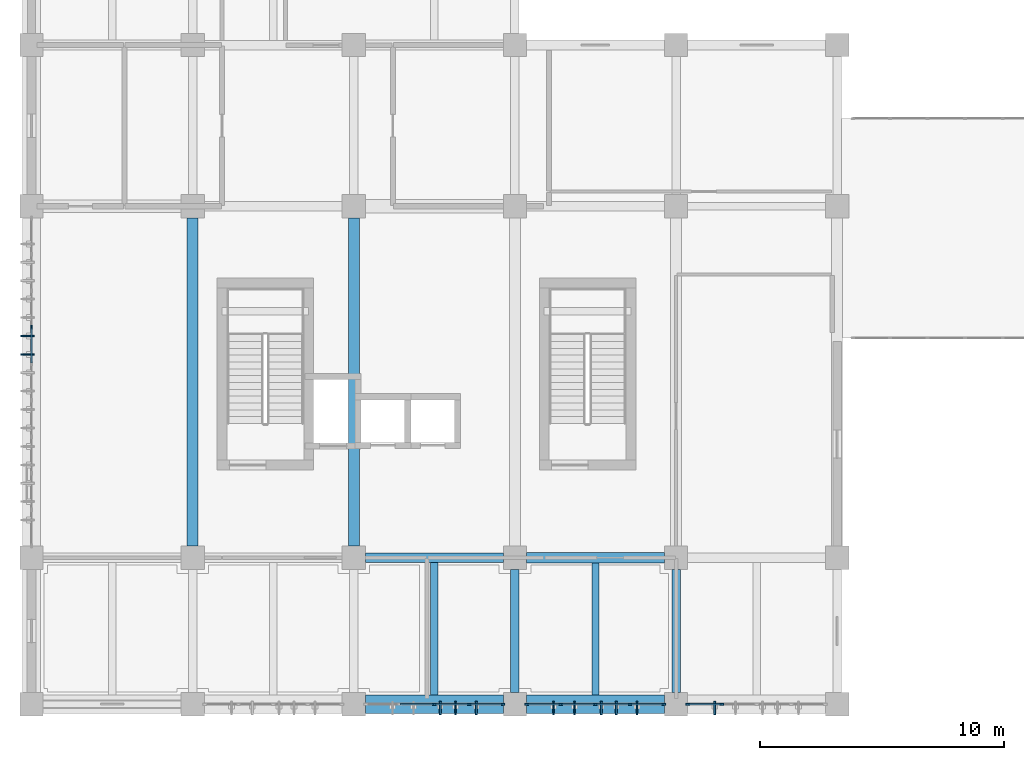
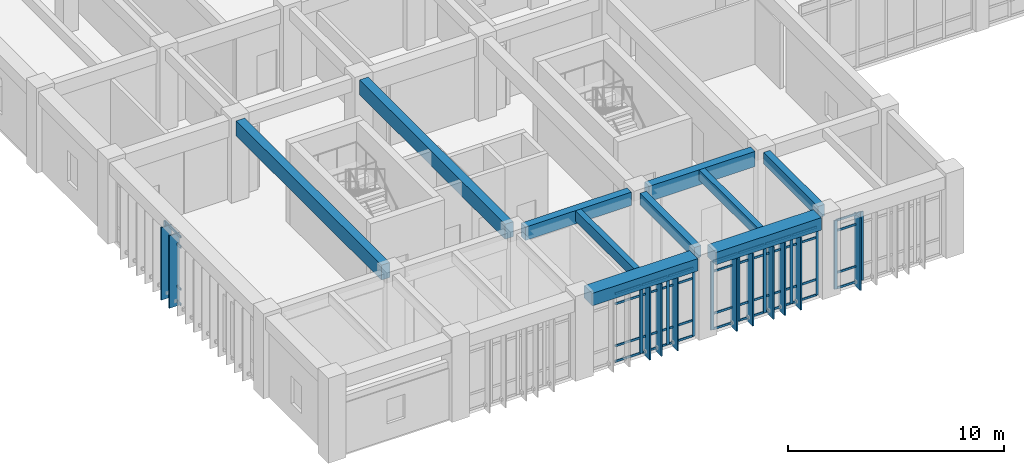
# One storey, part 3 of 65: 58 members, 10 beams, 4 elements without a shape of their own.
"""IFC4 building model written with IfcOpenShell, lengths in metres."""

from ifc_helpers import new_model, si_unit, direction, frame, origin, origin_2d, place, context, subcontext, project, spatial, rectangle, extrude, material, layer, layer_set, material_profile, profile_set, type_object, element, aggregate, save


model = new_model("IFC4")

# Units and contexts
model_context = context("Model", 3, precision=1e-05, world=origin(), true_north=direction((0.0, 1.0)))
body_context = subcontext(model_context, "Body", "Model", "MODEL_VIEW")
ifc_project = project(units=[si_unit("LENGTHUNIT", "METRE"), si_unit("AREAUNIT", "SQUARE_METRE"), si_unit("VOLUMEUNIT", "CUBIC_METRE"), si_unit("PLANEANGLEUNIT", "RADIAN"), si_unit("MASSUNIT", "GRAM", prefix="KILO")], contexts=[model_context])

# Site, building, storey
site_placement = place(None, origin())
site = spatial("IfcSite", under=ifc_project, at=site_placement, CompositionType="ELEMENT")
building_placement = place(site_placement, origin())
building = spatial("IfcBuilding", under=site, at=building_placement, Name="Miralva Faculty of Natural Sciences", CompositionType="ELEMENT")
storey_placement = place(building_placement, frame((0.0, 0.0, 10.199951171875)))
storey = spatial("IfcBuildingStorey", under=building, at=storey_placement, Name="L02", CompositionType="ELEMENT", Elevation=10.199951171875)

# Beams
ifc_material_1 = material(Name="Concrete C40/50", Category="concrete")
ifc_material_profile_1 = material_profile(ifc_material_1, rectangle(XDim=0.449951171875, YDim=0.85009765625, at=origin_2d()), Name="RC 450x850")
ifc_profile_set_1 = profile_set([ifc_material_profile_1], Name="Concrete C40/50")
beam_type_1 = type_object("IfcBeamType", Name="BM-B01", PredefinedType="BEAM", material=ifc_profile_set_1)
for number, where, z_axis, x_axis, name in (
    (1, (9.60009765625, 9.47509765625, 4.155029296875), (0.0, 1.0, 0.0), (-1.0, 0.0, 0.0), "Girder NS L02-84"),
    (2, (16.199951171875, 9.47509765625, 4.155029296875), (0.0, 1.0, 0.0), (-1.0, 0.0, 0.0), "Girder NS L02-97"),
):
    element("IfcBeam", number, at=place(storey_placement, frame(where, z_axis=z_axis, x_axis=x_axis)), inside=storey, type_object=beam_type_1, Name=name, PredefinedType="BEAM", context=body_context, shape_type="SweptSolid", body=[
        extrude(rectangle(XDim=0.449951171875, YDim=0.85009765625, at=origin_2d()), origin(), (0.0, 0.0, 1.0), 13.449951171875),
    ])
ifc_material_profile_2 = material_profile(ifc_material_1, rectangle(XDim=0.39990234375, YDim=0.75, at=origin_2d()), Name="RC 400x750")
ifc_profile_set_2 = profile_set([ifc_material_profile_2], Name="Concrete C40/50")
beam_type_2 = type_object("IfcBeamType", Name="BM-B03", PredefinedType="BEAM", material=ifc_profile_set_2)
beam_1_placement = place(storey_placement, frame((16.675048828125, 9.0, 4.205078125), z_axis=(1.0, 0.0, 0.0), x_axis=(0.0, 1.0, 0.0)))
element("IfcBeam", 3, at=beam_1_placement, inside=storey, type_object=beam_type_2, Name="Girder EW L02-8", PredefinedType="BEAM", context=body_context, shape_type="SweptSolid", body=[
    extrude(rectangle(XDim=0.39990234375, YDim=0.75, at=origin_2d()), origin(), (0.0, 0.0, 1.0), 5.64990234375),
])
ifc_material_profile_3 = material_profile(ifc_material_1, rectangle(XDim=0.35009765625, YDim=0.64990234375, at=origin_2d()), Name="RC 350x650")
ifc_profile_set_3 = profile_set([ifc_material_profile_3], Name="Concrete C40/50")
beam_type_3 = type_object("IfcBeamType", Name="BM-B05", PredefinedType="BEAM", material=ifc_profile_set_3)
for number, where, z_axis, x_axis, name in (
    (4, (22.800048828125, 3.47509765625, 4.255126953125), (0.0, 1.0, 0.0), (-1.0, 0.0, 0.0), "Girder NS L02-99"),
    (5, (29.39990234375, 3.47509765625, 4.255126953125), (0.0, 1.0, 0.0), (-1.0, 0.0, 0.0), "Girder NS L02-112"),
):
    element("IfcBeam", number, at=place(storey_placement, frame(where, z_axis=z_axis, x_axis=x_axis)), inside=storey, type_object=beam_type_3, Name=name, PredefinedType="BEAM", context=body_context, shape_type="SweptSolid", body=[
        extrude(rectangle(XDim=0.35009765625, YDim=0.64990234375, at=origin_2d()), origin(), (0.0, 0.0, 1.0), 5.0498046875),
    ])
ifc_material_profile_4 = material_profile(ifc_material_1, rectangle(XDim=0.419921875, YDim=0.860107421875, at=origin_2d()), Name="RC 420x860")
ifc_profile_set_4 = profile_set([ifc_material_profile_4], Name="Concrete C40/50")
beam_type_4 = type_object("IfcBeamType", Name="BM-BG12", PredefinedType="BEAM", material=ifc_profile_set_4)
beam_2_placement = place(storey_placement, frame((23.27490234375, 9.0, 4.150146484375), z_axis=(1.0, 0.0, 0.0), x_axis=(0.0, 1.0, 0.0)))
element("IfcBeam", 6, at=beam_2_placement, inside=storey, type_object=beam_type_4, Name="Girder EW L02-9", PredefinedType="BEAM", context=body_context, shape_type="SweptSolid", body=[
    extrude(rectangle(XDim=0.419921875, YDim=0.860107421875, at=origin_2d()), origin(), (0.0, 0.0, 1.0), 5.650146484375),
])
ifc_material_profile_5 = material_profile(ifc_material_1, rectangle(XDim=0.300048828125, YDim=0.60009765625, at=origin_2d()), Name="RC 300x600")
ifc_profile_set_5 = profile_set([ifc_material_profile_5], Name="Concrete C40/50")
beam_type_5 = type_object("IfcBeamType", Name="BM-J01", PredefinedType="JOIST", material=ifc_profile_set_5)
beam_3_placement = place(storey_placement, frame((19.5, 3.375, 4.280029296875), z_axis=(0.0, 1.0, 0.0), x_axis=(-1.0, 0.0, 0.0)))
element("IfcBeam", 7, at=beam_3_placement, inside=storey, type_object=beam_type_5, Name="Floor joist L02-3", PredefinedType="JOIST", context=body_context, shape_type="SweptSolid", body=[
    extrude(rectangle(XDim=0.300048828125, YDim=0.60009765625, at=origin_2d()), origin(), (0.0, 0.0, 1.0), 5.425048828125),
])
beam_4_placement = place(storey_placement, frame((26.10009765625, 3.375, 4.280029296875), z_axis=(0.0, 1.0, 0.0), x_axis=(-1.0, 0.0, 0.0)))
element("IfcBeam", 8, at=beam_4_placement, inside=storey, type_object=beam_type_5, Name="Floor joist L02-4", PredefinedType="JOIST", context=body_context, shape_type="SweptSolid", body=[
    extrude(rectangle(XDim=0.300048828125, YDim=0.60009765625, at=origin_2d()), origin(), (0.0, 0.0, 1.0), 5.4150390625),
])
ifc_material_profile_6 = material_profile(ifc_material_1, rectangle(XDim=0.75, YDim=0.699951171875, at=origin_2d()), Name="RC 750x700")
ifc_profile_set_6 = profile_set([ifc_material_profile_6], Name="Concrete C40/50")
beam_type_6 = type_object("IfcBeamType", Name="BM-SP01", PredefinedType="SPANDREL", material=ifc_profile_set_6)
beam_5_placement = place(storey_placement, frame((16.675048828125, 3.0, 4.22998046875), z_axis=(1.0, 0.0, 0.0), x_axis=(0.0, 1.0, 0.0)))
element("IfcBeam", 9, at=beam_5_placement, inside=storey, type_object=beam_type_6, Name="Girder EW L02-3", PredefinedType="SPANDREL", context=body_context, shape_type="SweptSolid", body=[
    extrude(rectangle(XDim=0.75, YDim=0.699951171875, at=origin_2d()), origin(), (0.0, 0.0, 1.0), 5.64990234375),
])
beam_6_placement = place(storey_placement, frame((23.27490234375, 3.0, 4.22998046875), z_axis=(1.0, 0.0, 0.0), x_axis=(0.0, 1.0, 0.0)))
element("IfcBeam", 10, at=beam_6_placement, inside=storey, type_object=beam_type_6, Name="Girder EW L02-4", PredefinedType="SPANDREL", context=body_context, shape_type="SweptSolid", body=[
    extrude(rectangle(XDim=0.75, YDim=0.699951171875, at=origin_2d()), origin(), (0.0, 0.0, 1.0), 5.650146484375),
])

# Curtain wall, members
ifc_material_2 = material(Name="Laminated solar-control glass", Category="glass")
ifc_layer = layer(ifc_material_2, 0.179931640625, Name="CW-TWR-L01")
ifc_layer_set = layer_set([ifc_layer], Name="Laminated solar-control glass")
curtain_wall_type = type_object("IfcCurtainWallType", Name="CW-TWR-L01", PredefinedType="USERDEFINED", material=ifc_layer_set)
curtain_wall_1_placement = place(storey_placement, origin())
curtain_wall_1 = element("IfcCurtainWall", 11, at=curtain_wall_1_placement, inside=storey, type_object=curtain_wall_type, Name="Curtain wall CW-13 L02-220", ObjectType="UNITISED CURTAIN WALL", PredefinedType="USERDEFINED")
ifc_material_3 = material(Name="Anodised aluminium", Category="aluminium")
ifc_material_profile_7 = material_profile(ifc_material_3, rectangle(XDim=0.06494140625, YDim=0.159912109375, at=origin_2d()), Name="MULLION 65x160")
ifc_profile_set_7 = profile_set([ifc_material_profile_7], Name="Anodised aluminium")
member_type_1 = type_object("IfcMemberType", Name="CW-M02", PredefinedType="MULLION", material=ifc_profile_set_7)
member_1_placement = place(storey_placement, frame((19.5, 3.0, 0.0), z_axis=(0.0, 0.0, 1.0), x_axis=(0.0, 1.0, 0.0)))
member_1 = element("IfcMember", 12, at=member_1_placement, type_object=member_type_1, Name="CW-13 mullion 3", PredefinedType="MULLION", context=body_context, shape_type="SweptSolid", body=[
    extrude(rectangle(XDim=0.06494140625, YDim=0.159912109375, at=origin_2d()), origin(), (0.0, 0.0, 1.0), 3.875),
])
member_2_placement = place(storey_placement, frame((20.922607421875, 3.0, 0.0), z_axis=(0.0, 0.0, 1.0), x_axis=(0.0, 1.0, 0.0)))
member_2 = element("IfcMember", 13, at=member_2_placement, type_object=member_type_1, Name="CW-13 mullion 4", PredefinedType="MULLION", context=body_context, shape_type="SweptSolid", body=[
    extrude(rectangle(XDim=0.06494140625, YDim=0.159912109375, at=origin_2d()), origin(), (0.0, 0.0, 1.0), 3.875),
])
member_3_placement = place(storey_placement, frame((22.3125, 3.0, 0.0), z_axis=(0.0, 0.0, 1.0), x_axis=(0.0, 1.0, 0.0)))
member_3 = element("IfcMember", 14, at=member_3_placement, type_object=member_type_1, Name="CW-13 mullion 5", PredefinedType="MULLION", context=body_context, shape_type="SweptSolid", body=[
    extrude(rectangle(XDim=0.06494140625, YDim=0.159912109375, at=origin_2d()), origin(), (0.0, 0.0, 1.0), 3.875),
])

curtain_wall_2_placement = place(storey_placement, origin())
curtain_wall_2 = element("IfcCurtainWall", 15, at=curtain_wall_2_placement, inside=storey, type_object=curtain_wall_type, Name="Curtain wall CW-13 L02-221", ObjectType="UNITISED CURTAIN WALL", PredefinedType="USERDEFINED")
member_4_placement = place(storey_placement, frame((23.28759765625, 3.0, 0.0), z_axis=(0.0, 0.0, 1.0), x_axis=(0.0, 1.0, 0.0)))
member_4 = element("IfcMember", 16, at=member_4_placement, type_object=member_type_1, Name="CW-13 mullion 1", PredefinedType="MULLION", context=body_context, shape_type="SweptSolid", body=[
    extrude(rectangle(XDim=0.06494140625, YDim=0.159912109375, at=origin_2d()), origin(), (0.0, 0.0, 1.0), 3.875),
])
member_5_placement = place(storey_placement, frame((24.675048828125, 3.0, 0.0), z_axis=(0.0, 0.0, 1.0), x_axis=(0.0, 1.0, 0.0)))
member_5 = element("IfcMember", 17, at=member_5_placement, type_object=member_type_1, Name="CW-13 mullion 2", PredefinedType="MULLION", context=body_context, shape_type="SweptSolid", body=[
    extrude(rectangle(XDim=0.06494140625, YDim=0.159912109375, at=origin_2d()), origin(), (0.0, 0.0, 1.0), 3.875),
])
member_6_placement = place(storey_placement, frame((26.094970703125, 3.0, 0.0), z_axis=(0.0, 0.0, 1.0), x_axis=(0.0, 1.0, 0.0)))
member_6 = element("IfcMember", 18, at=member_6_placement, type_object=member_type_1, Name="CW-13 mullion 3", PredefinedType="MULLION", context=body_context, shape_type="SweptSolid", body=[
    extrude(rectangle(XDim=0.06494140625, YDim=0.159912109375, at=origin_2d()), origin(), (0.0, 0.0, 1.0), 3.875),
])
member_7_placement = place(storey_placement, frame((27.514892578125, 3.0, 0.0), z_axis=(0.0, 0.0, 1.0), x_axis=(0.0, 1.0, 0.0)))
member_7 = element("IfcMember", 19, at=member_7_placement, type_object=member_type_1, Name="CW-13 mullion 4", PredefinedType="MULLION", context=body_context, shape_type="SweptSolid", body=[
    extrude(rectangle(XDim=0.06494140625, YDim=0.159912109375, at=origin_2d()), origin(), (0.0, 0.0, 1.0), 3.875),
])
member_8_placement = place(storey_placement, frame((28.902587890625, 3.0, 0.0), z_axis=(0.0, 0.0, 1.0), x_axis=(0.0, 1.0, 0.0)))
member_8 = element("IfcMember", 20, at=member_8_placement, type_object=member_type_1, Name="CW-13 mullion 5", PredefinedType="MULLION", context=body_context, shape_type="SweptSolid", body=[
    extrude(rectangle(XDim=0.06494140625, YDim=0.159912109375, at=origin_2d()), origin(), (0.0, 0.0, 1.0), 3.875),
])

curtain_wall_3_placement = place(storey_placement, origin())
curtain_wall_3 = element("IfcCurtainWall", 21, at=curtain_wall_3_placement, inside=storey, type_object=curtain_wall_type, Name="Curtain wall CW-13 L02-222", ObjectType="UNITISED CURTAIN WALL", PredefinedType="USERDEFINED")
member_9_placement = place(storey_placement, frame((29.887451171875, 3.0, 0.0), z_axis=(0.0, 0.0, 1.0), x_axis=(0.0, 1.0, 0.0)))
member_9 = element("IfcMember", 22, at=member_9_placement, type_object=member_type_1, Name="CW-13 mullion 1", PredefinedType="MULLION", context=body_context, shape_type="SweptSolid", body=[
    extrude(rectangle(XDim=0.06494140625, YDim=0.159912109375, at=origin_2d()), origin(), (0.0, 0.0, 1.0), 3.875),
])
member_10_placement = place(storey_placement, frame((31.277587890625, 3.0, 0.0), z_axis=(0.0, 0.0, 1.0), x_axis=(0.0, 1.0, 0.0)))
member_10 = element("IfcMember", 23, at=member_10_placement, type_object=member_type_1, Name="CW-13 mullion 2", PredefinedType="MULLION", context=body_context, shape_type="SweptSolid", body=[
    extrude(rectangle(XDim=0.06494140625, YDim=0.159912109375, at=origin_2d()), origin(), (0.0, 0.0, 1.0), 3.875),
])

# Curtain wall, member
curtain_wall_4_placement = place(storey_placement, origin())
curtain_wall_4 = element("IfcCurtainWall", 24, at=curtain_wall_4_placement, inside=storey, type_object=curtain_wall_type, Name="Curtain wall CW-13 L02-223", ObjectType="UNITISED CURTAIN WALL", PredefinedType="USERDEFINED")
member_11_placement = place(storey_placement, frame((3.0, 18.445068359375, 0.0), z_axis=(0.0, 0.0, 1.0), x_axis=(-1.0, 0.0, 0.0)))
member_11 = element("IfcMember", 25, at=member_11_placement, type_object=member_type_1, Name="CW-13 mullion 7", PredefinedType="MULLION", context=body_context, shape_type="SweptSolid", body=[
    extrude(rectangle(XDim=0.06494140625, YDim=0.159912109375, at=origin_2d()), origin(), (0.0, 0.0, 1.0), 3.875),
])

# Member
ifc_material_profile_8 = material_profile(ifc_material_3, rectangle(XDim=0.06005859375, YDim=0.1201171875, at=origin_2d()), Name="TRANSOM 60x120")
ifc_profile_set_8 = profile_set([ifc_material_profile_8], Name="Anodised aluminium")
member_type_2 = type_object("IfcMemberType", Name="CW-T02", PredefinedType="USERDEFINED", material=ifc_profile_set_8)
member_12_placement = place(storey_placement, frame((18.110107421875, 3.0, 0.030029296875), z_axis=(1.0, 0.0, 0.0), x_axis=(0.0, 1.0, 0.0)))
member_12 = element("IfcMember", 26, at=member_12_placement, type_object=member_type_2, Name="CW-13 transom 2.1", ObjectType="TRANSOM", PredefinedType="USERDEFINED", context=body_context, shape_type="SweptSolid", body=[
    extrude(rectangle(XDim=0.06005859375, YDim=0.1201171875, at=origin_2d()), origin(), (0.0, 0.0, 1.0), 1.357421875),
])

member_13_placement = place(storey_placement, frame((18.110107421875, 3.0, 0.900146484375), z_axis=(1.0, 0.0, 0.0), x_axis=(0.0, 1.0, 0.0)))
member_13 = element("IfcMember", 27, at=member_13_placement, type_object=member_type_2, Name="CW-13 transom 2.2", ObjectType="TRANSOM", PredefinedType="USERDEFINED", context=body_context, shape_type="SweptSolid", body=[
    extrude(rectangle(XDim=0.06005859375, YDim=0.1201171875, at=origin_2d()), origin(), (0.0, 0.0, 1.0), 1.357421875),
])

member_14_placement = place(storey_placement, frame((18.110107421875, 3.0, 3.275146484375), z_axis=(1.0, 0.0, 0.0), x_axis=(0.0, 1.0, 0.0)))
member_14 = element("IfcMember", 28, at=member_14_placement, type_object=member_type_2, Name="CW-13 transom 2.3", ObjectType="TRANSOM", PredefinedType="USERDEFINED", context=body_context, shape_type="SweptSolid", body=[
    extrude(rectangle(XDim=0.06005859375, YDim=0.1201171875, at=origin_2d()), origin(), (0.0, 0.0, 1.0), 1.357421875),
])

member_15_placement = place(storey_placement, frame((18.110107421875, 3.0, 3.844970703125), z_axis=(1.0, 0.0, 0.0), x_axis=(0.0, 1.0, 0.0)))
member_15 = element("IfcMember", 29, at=member_15_placement, type_object=member_type_2, Name="CW-13 transom 2.4", ObjectType="TRANSOM", PredefinedType="USERDEFINED", context=body_context, shape_type="SweptSolid", body=[
    extrude(rectangle(XDim=0.06005859375, YDim=0.1201171875, at=origin_2d()), origin(), (0.0, 0.0, 1.0), 1.357421875),
])

member_16_placement = place(storey_placement, frame((19.532470703125, 3.0, 0.030029296875), z_axis=(1.0, 0.0, 0.0), x_axis=(0.0, 1.0, 0.0)))
member_16 = element("IfcMember", 30, at=member_16_placement, type_object=member_type_2, Name="CW-13 transom 3.1", ObjectType="TRANSOM", PredefinedType="USERDEFINED", context=body_context, shape_type="SweptSolid", body=[
    extrude(rectangle(XDim=0.06005859375, YDim=0.1201171875, at=origin_2d()), origin(), (0.0, 0.0, 1.0), 1.357421875),
])

member_17_placement = place(storey_placement, frame((19.532470703125, 3.0, 0.900146484375), z_axis=(1.0, 0.0, 0.0), x_axis=(0.0, 1.0, 0.0)))
member_17 = element("IfcMember", 31, at=member_17_placement, type_object=member_type_2, Name="CW-13 transom 3.2", ObjectType="TRANSOM", PredefinedType="USERDEFINED", context=body_context, shape_type="SweptSolid", body=[
    extrude(rectangle(XDim=0.06005859375, YDim=0.1201171875, at=origin_2d()), origin(), (0.0, 0.0, 1.0), 1.357421875),
])

member_18_placement = place(storey_placement, frame((19.532470703125, 3.0, 3.275146484375), z_axis=(1.0, 0.0, 0.0), x_axis=(0.0, 1.0, 0.0)))
member_18 = element("IfcMember", 32, at=member_18_placement, type_object=member_type_2, Name="CW-13 transom 3.3", ObjectType="TRANSOM", PredefinedType="USERDEFINED", context=body_context, shape_type="SweptSolid", body=[
    extrude(rectangle(XDim=0.06005859375, YDim=0.1201171875, at=origin_2d()), origin(), (0.0, 0.0, 1.0), 1.357421875),
])

member_19_placement = place(storey_placement, frame((19.532470703125, 3.0, 3.844970703125), z_axis=(1.0, 0.0, 0.0), x_axis=(0.0, 1.0, 0.0)))
member_19 = element("IfcMember", 33, at=member_19_placement, type_object=member_type_2, Name="CW-13 transom 3.4", ObjectType="TRANSOM", PredefinedType="USERDEFINED", context=body_context, shape_type="SweptSolid", body=[
    extrude(rectangle(XDim=0.06005859375, YDim=0.1201171875, at=origin_2d()), origin(), (0.0, 0.0, 1.0), 1.357421875),
])

member_20_placement = place(storey_placement, frame((20.955078125, 3.0, 0.030029296875), z_axis=(1.0, 0.0, 0.0), x_axis=(0.0, 1.0, 0.0)))
member_20 = element("IfcMember", 34, at=member_20_placement, type_object=member_type_2, Name="CW-13 transom 4.1", ObjectType="TRANSOM", PredefinedType="USERDEFINED", context=body_context, shape_type="SweptSolid", body=[
    extrude(rectangle(XDim=0.06005859375, YDim=0.1201171875, at=origin_2d()), origin(), (0.0, 0.0, 1.0), 1.324951171875),
])

member_21_placement = place(storey_placement, frame((20.955078125, 3.0, 0.900146484375), z_axis=(1.0, 0.0, 0.0), x_axis=(0.0, 1.0, 0.0)))
member_21 = element("IfcMember", 35, at=member_21_placement, type_object=member_type_2, Name="CW-13 transom 4.2", ObjectType="TRANSOM", PredefinedType="USERDEFINED", context=body_context, shape_type="SweptSolid", body=[
    extrude(rectangle(XDim=0.06005859375, YDim=0.1201171875, at=origin_2d()), origin(), (0.0, 0.0, 1.0), 1.324951171875),
])

member_22_placement = place(storey_placement, frame((20.955078125, 3.0, 3.275146484375), z_axis=(1.0, 0.0, 0.0), x_axis=(0.0, 1.0, 0.0)))
member_22 = element("IfcMember", 36, at=member_22_placement, type_object=member_type_2, Name="CW-13 transom 4.3", ObjectType="TRANSOM", PredefinedType="USERDEFINED", context=body_context, shape_type="SweptSolid", body=[
    extrude(rectangle(XDim=0.06005859375, YDim=0.1201171875, at=origin_2d()), origin(), (0.0, 0.0, 1.0), 1.324951171875),
])

member_23_placement = place(storey_placement, frame((20.955078125, 3.0, 3.844970703125), z_axis=(1.0, 0.0, 0.0), x_axis=(0.0, 1.0, 0.0)))
member_23 = element("IfcMember", 37, at=member_23_placement, type_object=member_type_2, Name="CW-13 transom 4.4", ObjectType="TRANSOM", PredefinedType="USERDEFINED", context=body_context, shape_type="SweptSolid", body=[
    extrude(rectangle(XDim=0.06005859375, YDim=0.1201171875, at=origin_2d()), origin(), (0.0, 0.0, 1.0), 1.324951171875),
])

aggregate(curtain_wall_1, [member_1, member_2, member_3, member_12, member_13, member_14, member_15, member_16, member_17, member_18, member_19, member_20, member_21, member_22, member_23])

member_24_placement = place(storey_placement, frame((23.320068359375, 3.0, 0.030029296875), z_axis=(1.0, 0.0, 0.0), x_axis=(0.0, 1.0, 0.0)))
member_24 = element("IfcMember", 38, at=member_24_placement, type_object=member_type_2, Name="CW-13 transom 1.1", ObjectType="TRANSOM", PredefinedType="USERDEFINED", context=body_context, shape_type="SweptSolid", body=[
    extrude(rectangle(XDim=0.06005859375, YDim=0.1201171875, at=origin_2d()), origin(), (0.0, 0.0, 1.0), 1.322509765625),
])

member_25_placement = place(storey_placement, frame((23.320068359375, 3.0, 0.900146484375), z_axis=(1.0, 0.0, 0.0), x_axis=(0.0, 1.0, 0.0)))
member_25 = element("IfcMember", 39, at=member_25_placement, type_object=member_type_2, Name="CW-13 transom 1.2", ObjectType="TRANSOM", PredefinedType="USERDEFINED", context=body_context, shape_type="SweptSolid", body=[
    extrude(rectangle(XDim=0.06005859375, YDim=0.1201171875, at=origin_2d()), origin(), (0.0, 0.0, 1.0), 1.322509765625),
])

member_26_placement = place(storey_placement, frame((23.320068359375, 3.0, 3.275146484375), z_axis=(1.0, 0.0, 0.0), x_axis=(0.0, 1.0, 0.0)))
member_26 = element("IfcMember", 40, at=member_26_placement, type_object=member_type_2, Name="CW-13 transom 1.3", ObjectType="TRANSOM", PredefinedType="USERDEFINED", context=body_context, shape_type="SweptSolid", body=[
    extrude(rectangle(XDim=0.06005859375, YDim=0.1201171875, at=origin_2d()), origin(), (0.0, 0.0, 1.0), 1.322509765625),
])

member_27_placement = place(storey_placement, frame((23.320068359375, 3.0, 3.844970703125), z_axis=(1.0, 0.0, 0.0), x_axis=(0.0, 1.0, 0.0)))
member_27 = element("IfcMember", 41, at=member_27_placement, type_object=member_type_2, Name="CW-13 transom 1.4", ObjectType="TRANSOM", PredefinedType="USERDEFINED", context=body_context, shape_type="SweptSolid", body=[
    extrude(rectangle(XDim=0.06005859375, YDim=0.1201171875, at=origin_2d()), origin(), (0.0, 0.0, 1.0), 1.322509765625),
])

member_28_placement = place(storey_placement, frame((24.70751953125, 3.0, 0.030029296875), z_axis=(1.0, 0.0, 0.0), x_axis=(0.0, 1.0, 0.0)))
member_28 = element("IfcMember", 42, at=member_28_placement, type_object=member_type_2, Name="CW-13 transom 2.1", ObjectType="TRANSOM", PredefinedType="USERDEFINED", context=body_context, shape_type="SweptSolid", body=[
    extrude(rectangle(XDim=0.06005859375, YDim=0.1201171875, at=origin_2d()), origin(), (0.0, 0.0, 1.0), 1.35498046875),
])

member_29_placement = place(storey_placement, frame((24.70751953125, 3.0, 0.900146484375), z_axis=(1.0, 0.0, 0.0), x_axis=(0.0, 1.0, 0.0)))
member_29 = element("IfcMember", 43, at=member_29_placement, type_object=member_type_2, Name="CW-13 transom 2.2", ObjectType="TRANSOM", PredefinedType="USERDEFINED", context=body_context, shape_type="SweptSolid", body=[
    extrude(rectangle(XDim=0.06005859375, YDim=0.1201171875, at=origin_2d()), origin(), (0.0, 0.0, 1.0), 1.35498046875),
])

member_30_placement = place(storey_placement, frame((24.70751953125, 3.0, 3.275146484375), z_axis=(1.0, 0.0, 0.0), x_axis=(0.0, 1.0, 0.0)))
member_30 = element("IfcMember", 44, at=member_30_placement, type_object=member_type_2, Name="CW-13 transom 2.3", ObjectType="TRANSOM", PredefinedType="USERDEFINED", context=body_context, shape_type="SweptSolid", body=[
    extrude(rectangle(XDim=0.06005859375, YDim=0.1201171875, at=origin_2d()), origin(), (0.0, 0.0, 1.0), 1.35498046875),
])

member_31_placement = place(storey_placement, frame((24.70751953125, 3.0, 3.844970703125), z_axis=(1.0, 0.0, 0.0), x_axis=(0.0, 1.0, 0.0)))
member_31 = element("IfcMember", 45, at=member_31_placement, type_object=member_type_2, Name="CW-13 transom 2.4", ObjectType="TRANSOM", PredefinedType="USERDEFINED", context=body_context, shape_type="SweptSolid", body=[
    extrude(rectangle(XDim=0.06005859375, YDim=0.1201171875, at=origin_2d()), origin(), (0.0, 0.0, 1.0), 1.35498046875),
])

member_32_placement = place(storey_placement, frame((26.12744140625, 3.0, 0.030029296875), z_axis=(1.0, 0.0, 0.0), x_axis=(0.0, 1.0, 0.0)))
member_32 = element("IfcMember", 46, at=member_32_placement, type_object=member_type_2, Name="CW-13 transom 3.1", ObjectType="TRANSOM", PredefinedType="USERDEFINED", context=body_context, shape_type="SweptSolid", body=[
    extrude(rectangle(XDim=0.06005859375, YDim=0.1201171875, at=origin_2d()), origin(), (0.0, 0.0, 1.0), 1.35498046875),
])

member_33_placement = place(storey_placement, frame((26.12744140625, 3.0, 0.900146484375), z_axis=(1.0, 0.0, 0.0), x_axis=(0.0, 1.0, 0.0)))
member_33 = element("IfcMember", 47, at=member_33_placement, type_object=member_type_2, Name="CW-13 transom 3.2", ObjectType="TRANSOM", PredefinedType="USERDEFINED", context=body_context, shape_type="SweptSolid", body=[
    extrude(rectangle(XDim=0.06005859375, YDim=0.1201171875, at=origin_2d()), origin(), (0.0, 0.0, 1.0), 1.35498046875),
])

member_34_placement = place(storey_placement, frame((26.12744140625, 3.0, 3.275146484375), z_axis=(1.0, 0.0, 0.0), x_axis=(0.0, 1.0, 0.0)))
member_34 = element("IfcMember", 48, at=member_34_placement, type_object=member_type_2, Name="CW-13 transom 3.3", ObjectType="TRANSOM", PredefinedType="USERDEFINED", context=body_context, shape_type="SweptSolid", body=[
    extrude(rectangle(XDim=0.06005859375, YDim=0.1201171875, at=origin_2d()), origin(), (0.0, 0.0, 1.0), 1.35498046875),
])

member_35_placement = place(storey_placement, frame((26.12744140625, 3.0, 3.844970703125), z_axis=(1.0, 0.0, 0.0), x_axis=(0.0, 1.0, 0.0)))
member_35 = element("IfcMember", 49, at=member_35_placement, type_object=member_type_2, Name="CW-13 transom 3.4", ObjectType="TRANSOM", PredefinedType="USERDEFINED", context=body_context, shape_type="SweptSolid", body=[
    extrude(rectangle(XDim=0.06005859375, YDim=0.1201171875, at=origin_2d()), origin(), (0.0, 0.0, 1.0), 1.35498046875),
])

member_36_placement = place(storey_placement, frame((27.547607421875, 3.0, 0.030029296875), z_axis=(1.0, 0.0, 0.0), x_axis=(0.0, 1.0, 0.0)))
member_36 = element("IfcMember", 50, at=member_36_placement, type_object=member_type_2, Name="CW-13 transom 4.1", ObjectType="TRANSOM", PredefinedType="USERDEFINED", context=body_context, shape_type="SweptSolid", body=[
    extrude(rectangle(XDim=0.06005859375, YDim=0.1201171875, at=origin_2d()), origin(), (0.0, 0.0, 1.0), 1.322509765625),
])

member_37_placement = place(storey_placement, frame((27.547607421875, 3.0, 0.900146484375), z_axis=(1.0, 0.0, 0.0), x_axis=(0.0, 1.0, 0.0)))
member_37 = element("IfcMember", 51, at=member_37_placement, type_object=member_type_2, Name="CW-13 transom 4.2", ObjectType="TRANSOM", PredefinedType="USERDEFINED", context=body_context, shape_type="SweptSolid", body=[
    extrude(rectangle(XDim=0.06005859375, YDim=0.1201171875, at=origin_2d()), origin(), (0.0, 0.0, 1.0), 1.322509765625),
])

member_38_placement = place(storey_placement, frame((27.547607421875, 3.0, 3.275146484375), z_axis=(1.0, 0.0, 0.0), x_axis=(0.0, 1.0, 0.0)))
member_38 = element("IfcMember", 52, at=member_38_placement, type_object=member_type_2, Name="CW-13 transom 4.3", ObjectType="TRANSOM", PredefinedType="USERDEFINED", context=body_context, shape_type="SweptSolid", body=[
    extrude(rectangle(XDim=0.06005859375, YDim=0.1201171875, at=origin_2d()), origin(), (0.0, 0.0, 1.0), 1.322509765625),
])

member_39_placement = place(storey_placement, frame((27.547607421875, 3.0, 3.844970703125), z_axis=(1.0, 0.0, 0.0), x_axis=(0.0, 1.0, 0.0)))
member_39 = element("IfcMember", 53, at=member_39_placement, type_object=member_type_2, Name="CW-13 transom 4.4", ObjectType="TRANSOM", PredefinedType="USERDEFINED", context=body_context, shape_type="SweptSolid", body=[
    extrude(rectangle(XDim=0.06005859375, YDim=0.1201171875, at=origin_2d()), origin(), (0.0, 0.0, 1.0), 1.322509765625),
])

aggregate(curtain_wall_2, [member_4, member_5, member_6, member_7, member_8, member_24, member_25, member_26, member_27, member_28, member_29, member_30, member_31, member_32, member_33, member_34, member_35, member_36, member_37, member_38, member_39])

member_40_placement = place(storey_placement, frame((29.919921875, 3.0, 0.030029296875), z_axis=(1.0, 0.0, 0.0), x_axis=(0.0, 1.0, 0.0)))
member_40 = element("IfcMember", 54, at=member_40_placement, type_object=member_type_2, Name="CW-13 transom 1.1", ObjectType="TRANSOM", PredefinedType="USERDEFINED", context=body_context, shape_type="SweptSolid", body=[
    extrude(rectangle(XDim=0.06005859375, YDim=0.1201171875, at=origin_2d()), origin(), (0.0, 0.0, 1.0), 1.3251953125),
])

member_41_placement = place(storey_placement, frame((29.919921875, 3.0, 0.900146484375), z_axis=(1.0, 0.0, 0.0), x_axis=(0.0, 1.0, 0.0)))
member_41 = element("IfcMember", 55, at=member_41_placement, type_object=member_type_2, Name="CW-13 transom 1.2", ObjectType="TRANSOM", PredefinedType="USERDEFINED", context=body_context, shape_type="SweptSolid", body=[
    extrude(rectangle(XDim=0.06005859375, YDim=0.1201171875, at=origin_2d()), origin(), (0.0, 0.0, 1.0), 1.3251953125),
])

member_42_placement = place(storey_placement, frame((29.919921875, 3.0, 3.275146484375), z_axis=(1.0, 0.0, 0.0), x_axis=(0.0, 1.0, 0.0)))
member_42 = element("IfcMember", 56, at=member_42_placement, type_object=member_type_2, Name="CW-13 transom 1.3", ObjectType="TRANSOM", PredefinedType="USERDEFINED", context=body_context, shape_type="SweptSolid", body=[
    extrude(rectangle(XDim=0.06005859375, YDim=0.1201171875, at=origin_2d()), origin(), (0.0, 0.0, 1.0), 1.3251953125),
])

member_43_placement = place(storey_placement, frame((29.919921875, 3.0, 3.844970703125), z_axis=(1.0, 0.0, 0.0), x_axis=(0.0, 1.0, 0.0)))
member_43 = element("IfcMember", 57, at=member_43_placement, type_object=member_type_2, Name="CW-13 transom 1.4", ObjectType="TRANSOM", PredefinedType="USERDEFINED", context=body_context, shape_type="SweptSolid", body=[
    extrude(rectangle(XDim=0.06005859375, YDim=0.1201171875, at=origin_2d()), origin(), (0.0, 0.0, 1.0), 1.3251953125),
])

aggregate(curtain_wall_3, [member_9, member_10, member_40, member_41, member_42, member_43])

member_44_placement = place(storey_placement, frame((3.0, 16.980712890625, 0.030029296875), z_axis=(0.0, 1.0, 0.0), x_axis=(-1.0, 0.0, 0.0)))
member_44 = element("IfcMember", 58, at=member_44_placement, type_object=member_type_2, Name="CW-13 transom 6.1", ObjectType="TRANSOM", PredefinedType="USERDEFINED", context=body_context, shape_type="SweptSolid", body=[
    extrude(rectangle(XDim=0.06005859375, YDim=0.1201171875, at=origin_2d()), origin(), (0.0, 0.0, 1.0), 1.431884765625),
])

member_45_placement = place(storey_placement, frame((3.0, 16.980712890625, 0.900146484375), z_axis=(0.0, 1.0, 0.0), x_axis=(-1.0, 0.0, 0.0)))
member_45 = element("IfcMember", 59, at=member_45_placement, type_object=member_type_2, Name="CW-13 transom 6.2", ObjectType="TRANSOM", PredefinedType="USERDEFINED", context=body_context, shape_type="SweptSolid", body=[
    extrude(rectangle(XDim=0.06005859375, YDim=0.1201171875, at=origin_2d()), origin(), (0.0, 0.0, 1.0), 1.431884765625),
])

member_46_placement = place(storey_placement, frame((3.0, 16.980712890625, 3.275146484375), z_axis=(0.0, 1.0, 0.0), x_axis=(-1.0, 0.0, 0.0)))
member_46 = element("IfcMember", 60, at=member_46_placement, type_object=member_type_2, Name="CW-13 transom 6.3", ObjectType="TRANSOM", PredefinedType="USERDEFINED", context=body_context, shape_type="SweptSolid", body=[
    extrude(rectangle(XDim=0.06005859375, YDim=0.1201171875, at=origin_2d()), origin(), (0.0, 0.0, 1.0), 1.431884765625),
])

member_47_placement = place(storey_placement, frame((3.0, 16.980712890625, 3.844970703125), z_axis=(0.0, 1.0, 0.0), x_axis=(-1.0, 0.0, 0.0)))
member_47 = element("IfcMember", 61, at=member_47_placement, type_object=member_type_2, Name="CW-13 transom 6.4", ObjectType="TRANSOM", PredefinedType="USERDEFINED", context=body_context, shape_type="SweptSolid", body=[
    extrude(rectangle(XDim=0.06005859375, YDim=0.1201171875, at=origin_2d()), origin(), (0.0, 0.0, 1.0), 1.431884765625),
])

aggregate(curtain_wall_4, [member_11, member_44, member_45, member_46, member_47])

# Members
ifc_material_profile_9 = material_profile(ifc_material_3, rectangle(XDim=0.06494140625, YDim=0.550048828125, at=origin_2d()), Name="FIN 550x65")
ifc_profile_set_9 = profile_set([ifc_material_profile_9], Name="Anodised aluminium")
member_type_3 = type_object("IfcMemberType", Name="MEM-SF03", PredefinedType="USERDEFINED", material=ifc_profile_set_9)
for number, where, z_axis, x_axis, name in (
    (62, (19.739990234375, 2.840087890625, -0.219970703125), (0.0, 0.0, 1.0), (1.0, 0.0, 0.0), "Solar shading fin SF-03 L02-232"),
    (63, (20.35791015625, 2.840087890625, -0.219970703125), (0.0, 0.0, 1.0), (1.0, 0.0, 0.0), "Solar shading fin SF-03 L02-233"),
    (64, (21.216064453125, 2.840087890625, -0.219970703125), (0.0, 0.0, 1.0), (1.0, 0.0, 0.0), "Solar shading fin SF-03 L02-234"),
    (65, (24.383056640625, 2.840087890625, -0.219970703125), (0.0, 0.0, 1.0), (1.0, 0.0, 0.0), "Solar shading fin SF-03 L02-235"),
    (66, (25.239013671875, 2.840087890625, -0.219970703125), (0.0, 0.0, 1.0), (1.0, 0.0, 0.0), "Solar shading fin SF-03 L02-236"),
    (67, (26.3349609375, 2.840087890625, -0.219970703125), (0.0, 0.0, 1.0), (1.0, 0.0, 0.0), "Solar shading fin SF-03 L02-237"),
    (68, (26.950927734375, 2.840087890625, -0.219970703125), (0.0, 0.0, 1.0), (1.0, 0.0, 0.0), "Solar shading fin SF-03 L02-238"),
    (69, (27.806884765625, 2.840087890625, -0.219970703125), (0.0, 0.0, 1.0), (1.0, 0.0, 0.0), "Solar shading fin SF-03 L02-239"),
    (70, (30.98388671875, 2.840087890625, -0.219970703125), (0.0, 0.0, 1.0), (1.0, 0.0, 0.0), "Solar shading fin SF-03 L02-240"),
    (71, (2.840087890625, 17.33154296875, -0.219970703125), (0.0, 0.0, 1.0), (0.0, -1.0, 0.0), "Solar shading fin SF-03 L02-254"),
    (72, (2.840087890625, 18.0859375, -0.219970703125), (0.0, 0.0, 1.0), (0.0, -1.0, 0.0), "Solar shading fin SF-03 L02-255"),
):
    element("IfcMember", number, at=place(storey_placement, frame(where, z_axis=z_axis, x_axis=x_axis)), inside=storey, type_object=member_type_3, Name=name, ObjectType="SUNSHADE", PredefinedType="USERDEFINED", context=body_context, shape_type="SweptSolid", body=[
        extrude(rectangle(XDim=0.06494140625, YDim=0.550048828125, at=origin_2d()), origin(), (0.0, 0.0, 1.0), 4.094970703125),
    ])

save(model, "model.ifc")
